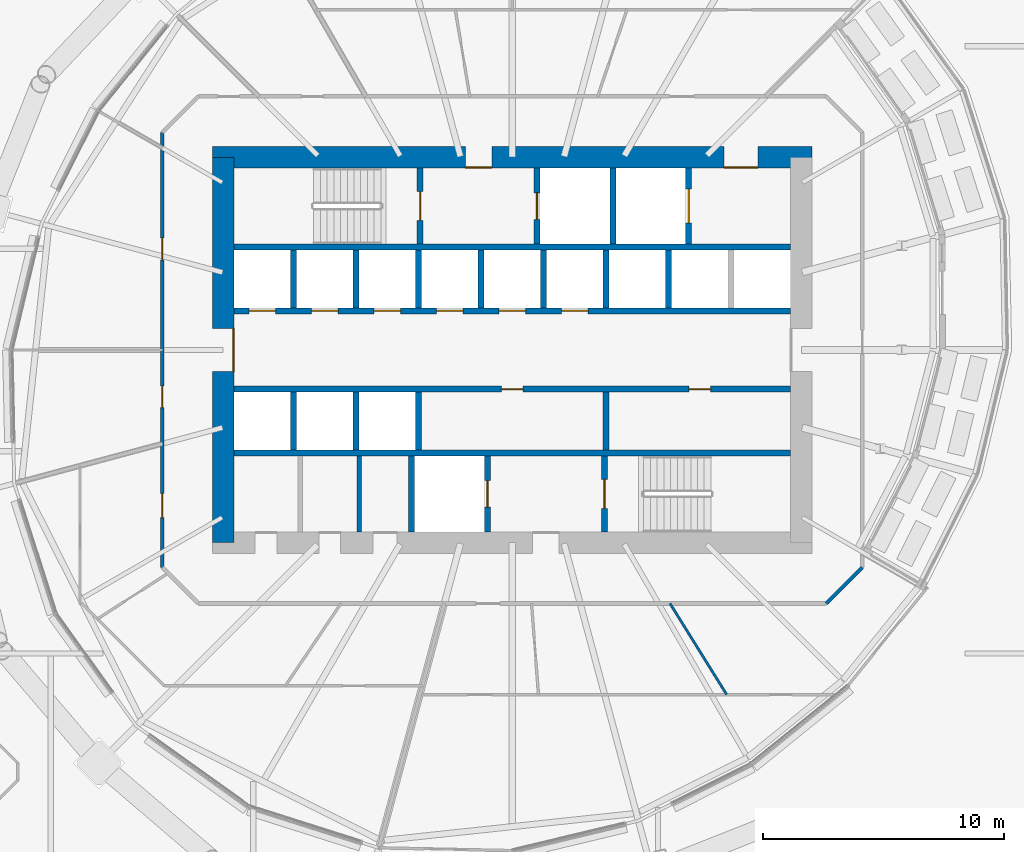
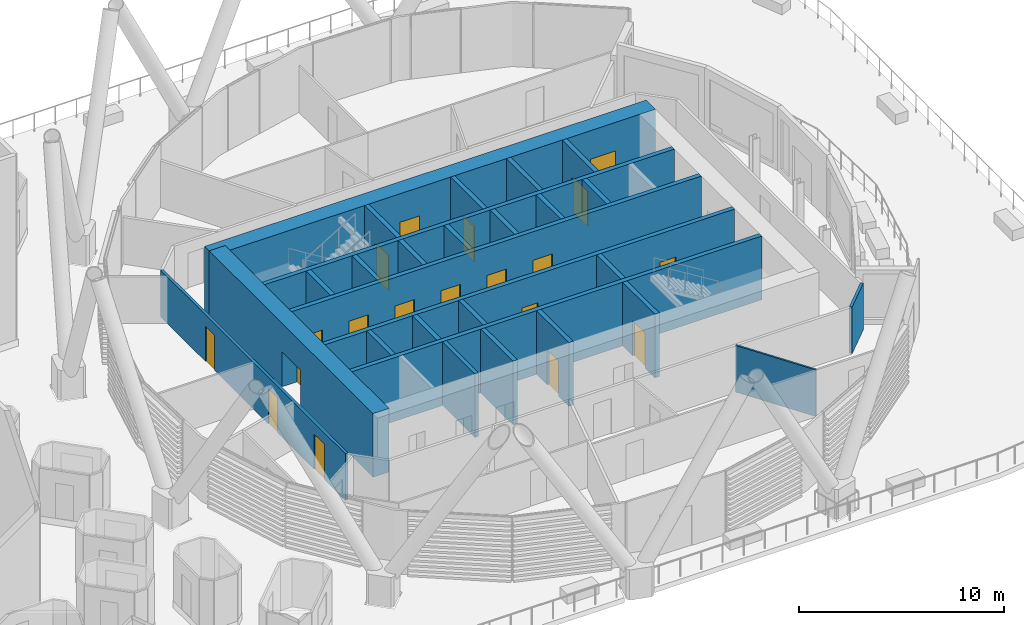
# One storey, part 31 of 47: 28 walls, 19 doors, 19 openings.
"""IFC4 building model written with IfcOpenShell, lengths in metres."""

from ifc_helpers import new_model, si_unit, direction, frame, frame_2d, origin, place, context, subcontext, project, spatial, rectangle, extrude, material, layer, layer_set, type_object, element, fill, save


model = new_model("IFC4")

# Units and contexts
model_context = context("Model", 3, precision=1e-05, world=origin(), true_north=direction((0.0, 1.0)))
body_context = subcontext(model_context, "Body", "Model", "MODEL_VIEW")
ifc_project = project(units=[si_unit("LENGTHUNIT", "METRE"), si_unit("AREAUNIT", "SQUARE_METRE"), si_unit("VOLUMEUNIT", "CUBIC_METRE"), si_unit("PLANEANGLEUNIT", "RADIAN"), si_unit("MASSUNIT", "GRAM", prefix="KILO")], contexts=[model_context])

# Site, building, storey
site_placement = place(None, origin())
site = spatial("IfcSite", under=ifc_project, at=site_placement, CompositionType="ELEMENT")
building_placement = place(site_placement, origin())
building = spatial("IfcBuilding", under=site, at=building_placement, Name="Rimbun Link Towers", CompositionType="ELEMENT")
storey_placement = place(building_placement, frame((0.0, 0.0, 30.0)))
storey = spatial("IfcBuildingStorey", under=building, at=storey_placement, Name="L06", CompositionType="ELEMENT", Elevation=30.0)

# Wall
ifc_material_1 = material(Name="Masonry blockwork", Category="masonry")
ifc_layer_1 = layer(ifc_material_1, 0.199951171875)
ifc_layer_set_1 = layer_set([ifc_layer_1], Name="Core partition 200")
wall_type_1 = type_object("IfcWallType", Name="Core partition 200", PredefinedType="PARTITIONING", material=ifc_layer_set_1)
wall_1_placement = place(storey_placement, frame((25.39990234375, -4.39990234375, 0.0), z_axis=(0.0, 0.0, 1.0), x_axis=(0.0, -1.0, 0.0)))
element("IfcWall", 1, at=wall_1_placement, inside=storey, type_object=wall_type_1, Name="L06 T2 core wall C2", PredefinedType="PARTITIONING", context=body_context, shape_type="SweptSolid", body=[
    extrude(rectangle(XDim=3.150146484375, YDim=0.199951171875, at=frame_2d((1.5751953125, 0.0))), origin(), (0.0, 0.0, 1.0), 3.800048828125),
])

# Wall, openings, doors
ifc_material_2 = material(Name="Concrete C60/75", Category="concrete")
ifc_layer_2 = layer(ifc_material_2, 0.89990234375)
ifc_layer_set_2 = layer_set([ifc_layer_2], Name="Core shear wall 900")
wall_type_2 = type_object("IfcWallType", Name="Core shear wall 900", PredefinedType="SHEAR", material=ifc_layer_set_2)
wall_2_placement = place(storey_placement, frame((19.300048828125, 8.0, 0.0), z_axis=(0.0, 0.0, 1.0), x_axis=(1.0, 0.0, 0.0)))
wall_2 = element("IfcWall", 2, at=wall_2_placement, inside=storey, type_object=wall_type_2, Name="L06 T2 core wall N", PredefinedType="SHEAR", context=body_context, shape_type="SweptSolid", body=[
    extrude(rectangle(XDim=24.89990234375, YDim=0.89990234375, at=frame_2d((12.449951171875, 0.0))), origin(), (0.0, 0.0, 1.0), 3.800048828125),
])
opening_1_placement = place(wall_2_placement, frame((10.5, 0.0, 0.0)))
opening_1 = element("IfcOpeningElement", 3, at=opening_1_placement, cuts=wall_2, Name="Opening C2DCF01N", PredefinedType="OPENING", context=body_context, shape_type="SweptSolid", body=[
    extrude(rectangle(XDim=1.10009765625, YDim=2.10009765625, at=frame_2d((0.550048828125, 1.050048828125))), frame((0.0, 0.4599609375, 0.0), z_axis=(0.0, -1.0, 0.0), x_axis=(1.0, 0.0, 0.0)), (0.0, 0.0, 1.0), 0.919921875),
])
opening_2_placement = place(wall_2_placement, frame((21.25, 0.0, 0.0)))
opening_2 = element("IfcOpeningElement", 4, at=opening_2_placement, cuts=wall_2, Name="Opening C2DSL02N", PredefinedType="OPENING", context=body_context, shape_type="SweptSolid", body=[
    extrude(rectangle(XDim=1.39990234375, YDim=2.10009765625, at=frame_2d((0.699951171875, 1.050048828125))), frame((0.0, 0.4599609375, 0.0), z_axis=(0.0, -1.0, 0.0), x_axis=(1.0, 0.0, 0.0)), (0.0, 0.0, 1.0), 0.919921875),
])
ifc_material_3 = material(Name="Steel fire door set", Category="steel")
door_type_1 = type_object("IfcDoorType", Name="Core fire door single", OperationType="SINGLE_SWING_LEFT", PredefinedType="DOOR", material=ifc_material_3)
door_1_placement = place(opening_1_placement, origin())
door_1 = element("IfcDoor", 5, at=door_1_placement, inside=storey, type_object=door_type_1, Name="L06 T2 firefighting lobby n door", OperationType="SINGLE_SWING_LEFT", OverallHeight=2.10009765625, OverallWidth=1.10009765625, PredefinedType="DOOR", context=body_context, shape_type="SweptSolid", body=[
    extrude(rectangle(XDim=1.10009765625, YDim=2.10009765625, at=frame_2d((0.550048828125, 1.050048828125))), frame((0.0, -0.39990234375, 0.0), z_axis=(0.0, -1.0, 0.0), x_axis=(1.0, 0.0, 0.0)), (0.0, 0.0, 1.0), 0.050048828125),
])
fill(opening_1, door_1)
ifc_material_4 = material(Name="Steel fire door set", Category="steel")
door_type_2 = type_object("IfcDoorType", Name="Service lobby door double", OperationType="DOUBLE_DOOR_SINGLE_SWING", PredefinedType="DOOR", material=ifc_material_4)
door_2_placement = place(opening_2_placement, origin())
door_2 = element("IfcDoor", 6, at=door_2_placement, inside=storey, type_object=door_type_2, Name="L06 T2 service lobby door", OperationType="DOUBLE_DOOR_SINGLE_SWING", OverallHeight=2.10009765625, OverallWidth=1.39990234375, PredefinedType="DOOR", context=body_context, shape_type="SweptSolid", body=[
    extrude(rectangle(XDim=1.39990234375, YDim=2.10009765625, at=frame_2d((0.699951171875, 1.050048828125))), frame((0.0, -0.39990234375, 0.0), z_axis=(0.0, -1.0, 0.0), x_axis=(1.0, 0.0, 0.0)), (0.0, 0.0, 1.0), 0.050048828125),
])
fill(opening_2, door_2)

# Wall, opening, door
wall_3_placement = place(storey_placement, frame((19.75, -8.0, 0.0), z_axis=(0.0, 0.0, 1.0), x_axis=(0.0, 1.0, 0.0)))
wall_3 = element("IfcWall", 7, at=wall_3_placement, inside=storey, type_object=wall_type_2, Name="L06 T2 core wall W", PredefinedType="SHEAR", context=body_context, shape_type="SweptSolid", body=[
    extrude(rectangle(XDim=16.0, YDim=0.89990234375, at=frame_2d((8.0, 0.0))), origin(), (0.0, 0.0, 1.0), 3.800048828125),
])
opening_3_placement = place(wall_3_placement, frame((7.10009765625, 0.0, 0.0)))
opening_3 = element("IfcOpeningElement", 8, at=opening_3_placement, cuts=wall_3, Name="Opening C2DCL01W", PredefinedType="OPENING", context=body_context, shape_type="SweptSolid", body=[
    extrude(rectangle(XDim=1.800048828125, YDim=2.10009765625, at=frame_2d((0.89990234375, 1.050048828125))), frame((0.0, 0.4599609375, 0.0), z_axis=(0.0, -1.0, 0.0), x_axis=(1.0, 0.0, 0.0)), (0.0, 0.0, 1.0), 0.919921875),
])
ifc_material_5 = material(Name="Steel fire door set", Category="steel")
door_type_3 = type_object("IfcDoorType", Name="Core lobby door double", OperationType="DOUBLE_DOOR_SINGLE_SWING", PredefinedType="DOOR", material=ifc_material_5)
door_3_placement = place(opening_3_placement, origin())
door_3 = element("IfcDoor", 9, at=door_3_placement, inside=storey, type_object=door_type_3, Name="L06 T2 lift lobby door", OperationType="DOUBLE_DOOR_SINGLE_SWING", OverallHeight=2.10009765625, OverallWidth=1.800048828125, PredefinedType="DOOR", context=body_context, shape_type="SweptSolid", body=[
    extrude(rectangle(XDim=1.800048828125, YDim=2.10009765625, at=frame_2d((0.89990234375, 1.050048828125))), frame((0.0, -0.39990234375, 0.0), z_axis=(0.0, -1.0, 0.0), x_axis=(1.0, 0.0, 0.0)), (0.0, 0.0, 1.0), 0.050048828125),
])
fill(opening_3, door_3)

# Wall
ifc_material_6 = material(Name="Plasterboard on steel stud, mineral wool", Category="steel")
ifc_layer_3 = layer(ifc_material_6, 0.14990234375)
ifc_layer_set_3 = layer_set([ifc_layer_3], Name="Corridor wall EI 30 150 mm")
wall_type_3 = type_object("IfcWallType", Name="Corridor wall EI 30 150 mm", PredefinedType="PARTITIONING", material=ifc_layer_set_3)
wall_4_placement = place(storey_placement, frame((44.776611328125, -10.52490234375, 0.0), z_axis=(0.0, 0.0, 1.0), x_axis=(0.707106781187, 0.707106781187, 0.0)))
element("IfcWall", 10, at=wall_4_placement, inside=storey, type_object=wall_type_3, Name="Corridor wall EI 30 150 mm", PredefinedType="PARTITIONING", context=body_context, shape_type="SweptSolid", body=[
    extrude(rectangle(XDim=2.118896484375, YDim=0.14990234375, at=frame_2d((1.0595703125, 0.0))), origin(), (0.0, 0.0, 1.0), 2.779052734375),
])

# Wall, openings, doors
wall_5_placement = place(storey_placement, frame((17.22509765625, -9.026611328125, 0.0), z_axis=(0.0, 0.0, 1.0), x_axis=(0.0, 1.0, 0.0)))
wall_5 = element("IfcWall", 11, at=wall_5_placement, inside=storey, type_object=wall_type_3, Name="Corridor wall EI 30 150 mm", PredefinedType="PARTITIONING", context=body_context, shape_type="SweptSolid", body=[
    extrude(rectangle(XDim=18.05322265625, YDim=0.14990234375, at=frame_2d((9.026611328125, 0.0))), origin(), (0.0, 0.0, 1.0), 2.779052734375),
])
opening_4_placement = place(wall_5_placement, frame((12.769775390625, 0.0, 0.0)))
opening_4 = element("IfcOpeningElement", 12, at=opening_4_placement, cuts=wall_5, Name="Opening D02", PredefinedType="OPENING", context=body_context, shape_type="SweptSolid", body=[
    extrude(rectangle(XDim=0.89990234375, YDim=2.10009765625, at=frame_2d((0.449951171875, 1.050048828125))), frame((0.0, 0.0849609375, 0.0), z_axis=(0.0, -1.0, 0.0), x_axis=(1.0, 0.0, 0.0)), (0.0, 0.0, 1.0), 0.169921875),
])
opening_5_placement = place(wall_5_placement, frame((6.630615234375, 0.0, 0.0)))
opening_5 = element("IfcOpeningElement", 13, at=opening_5_placement, cuts=wall_5, Name="Opening D02", PredefinedType="OPENING", context=body_context, shape_type="SweptSolid", body=[
    extrude(rectangle(XDim=0.89990234375, YDim=2.10009765625, at=frame_2d((0.449951171875, 1.050048828125))), frame((0.0, 0.0849609375, 0.0), z_axis=(0.0, -1.0, 0.0), x_axis=(1.0, 0.0, 0.0)), (0.0, 0.0, 1.0), 0.169921875),
])
opening_6_placement = place(wall_5_placement, frame((2.0673828125, 0.0, 0.0)))
opening_6 = element("IfcOpeningElement", 14, at=opening_6_placement, cuts=wall_5, Name="Opening D01", PredefinedType="OPENING", context=body_context, shape_type="SweptSolid", body=[
    extrude(rectangle(XDim=1.0, YDim=2.10009765625, at=frame_2d((0.5, 1.050048828125))), frame((0.0, 0.0849609375, 0.0), z_axis=(0.0, -1.0, 0.0), x_axis=(1.0, 0.0, 0.0)), (0.0, 0.0, 1.0), 0.169921875),
])
ifc_material_7 = material(Name="Fire-resisting timber door leaf", Category="wood")
door_type_4 = type_object("IfcDoorType", Name="Fire door FD30S 1000", OperationType="NOTDEFINED", PredefinedType="DOOR", material=ifc_material_7)
door_4_placement = place(opening_6_placement, origin())
door_4 = element("IfcDoor", 15, at=door_4_placement, inside=storey, type_object=door_type_4, Name="Fire door FD30S 1000 to Reception", OperationType="SINGLE_SWING_RIGHT", OverallHeight=2.10009765625, OverallWidth=1.0, PredefinedType="DOOR", context=body_context, shape_type="SweptSolid", body=[
    extrude(rectangle(XDim=1.0, YDim=2.10009765625, at=frame_2d((0.5, 1.050048828125))), frame((0.0, 0.02490234375, 0.0), z_axis=(0.0, -1.0, 0.0), x_axis=(1.0, 0.0, 0.0)), (0.0, 0.0, 1.0), 0.050048828125),
])
fill(opening_6, door_4)
ifc_material_8 = material(Name="Fire-resisting timber door leaf", Category="wood")
door_type_5 = type_object("IfcDoorType", Name="Fire door FD30S 900", OperationType="NOTDEFINED", PredefinedType="DOOR", material=ifc_material_8)
door_5_placement = place(opening_4_placement, origin())
door_5 = element("IfcDoor", 16, at=door_5_placement, inside=storey, type_object=door_type_5, Name="Fire door FD30S 900 to Cellular office", OperationType="SINGLE_SWING_RIGHT", OverallHeight=2.10009765625, OverallWidth=0.89990234375, PredefinedType="DOOR", context=body_context, shape_type="SweptSolid", body=[
    extrude(rectangle(XDim=0.89990234375, YDim=2.10009765625, at=frame_2d((0.449951171875, 1.050048828125))), frame((0.0, 0.02490234375, 0.0), z_axis=(0.0, -1.0, 0.0), x_axis=(1.0, 0.0, 0.0)), (0.0, 0.0, 1.0), 0.050048828125),
])
fill(opening_4, door_5)
door_6_placement = place(opening_5_placement, origin())
door_6 = element("IfcDoor", 17, at=door_6_placement, inside=storey, type_object=door_type_5, Name="Fire door FD30S 900 to Meeting room", OperationType="SINGLE_SWING_LEFT", OverallHeight=2.10009765625, OverallWidth=0.89990234375, PredefinedType="DOOR", context=body_context, shape_type="SweptSolid", body=[
    extrude(rectangle(XDim=0.89990234375, YDim=2.10009765625, at=frame_2d((0.449951171875, 1.050048828125))), frame((0.0, 0.02490234375, 0.0), z_axis=(0.0, -1.0, 0.0), x_axis=(1.0, 0.0, 0.0)), (0.0, 0.0, 1.0), 0.050048828125),
])
fill(opening_5, door_6)

# Walls
ifc_material_9 = material(Name="Plasterboard on steel stud", Category="steel")
ifc_layer_4 = layer(ifc_material_9, 0.10009765625)
ifc_layer_set_4 = layer_set([ifc_layer_4], Name="Plasterboard partition 100 mm")
wall_type_4 = type_object("IfcWallType", Name="Plasterboard partition 100 mm", PredefinedType="PARTITIONING", material=ifc_layer_set_4)
wall_6_placement = place(storey_placement, frame((40.650634765625, -14.304931640625, 0.0), z_axis=(0.0, 0.0, 1.0), x_axis=(-0.528307157768, 0.849053324032, 0.0)))
element("IfcWall", 18, at=wall_6_placement, inside=storey, type_object=wall_type_4, Name="Plasterboard partition 100 mm", PredefinedType="PARTITIONING", context=body_context, shape_type="SweptSolid", body=[
    extrude(rectangle(XDim=4.4521484375, YDim=0.10009765625, at=frame_2d((2.22607421875, 0.0))), origin(), (0.0, 0.0, 1.0), 2.779052734375),
])
ifc_material_10 = material(Name="Concrete C60/75", Category="concrete")
ifc_layer_5 = layer(ifc_material_10, 0.25)
ifc_layer_set_5 = layer_set([ifc_layer_5], Name="Shaft wall 250")
wall_type_5 = type_object("IfcWallType", Name="Shaft wall 250", PredefinedType="SHEAR", material=ifc_layer_set_5)
for number, where, z_axis, x_axis, name in (
    (19, (20.199951171875, 4.27490234375, 0.0), (0.0, 0.0, 1.0), (1.0, 0.0, 0.0), "L06 T2 core wall BN"),
    (20, (20.199951171875, -4.27490234375, 0.0), (0.0, 0.0, 1.0), (1.0, 0.0, 0.0), "L06 T2 core wall BS"),
):
    element("IfcWall", number, at=place(storey_placement, frame(where, z_axis=z_axis, x_axis=x_axis)), inside=storey, type_object=wall_type_5, Name=name, PredefinedType="SHEAR", context=body_context, shape_type="SweptSolid", body=[
        extrude(rectangle(XDim=23.10009765625, YDim=0.25, at=frame_2d((11.550048828125, 0.0))), origin(), (0.0, 0.0, 1.0), 3.800048828125),
    ])

# Wall, openings, doors
wall_7_placement = place(storey_placement, frame((20.199951171875, 1.625, 0.0), z_axis=(0.0, 0.0, 1.0), x_axis=(1.0, 0.0, 0.0)))
wall_7 = element("IfcWall", 21, at=wall_7_placement, inside=storey, type_object=wall_type_5, Name="L06 T2 core wall FN", PredefinedType="SHEAR", context=body_context, shape_type="SweptSolid", body=[
    extrude(rectangle(XDim=23.10009765625, YDim=0.25, at=frame_2d((11.550048828125, 0.0))), origin(), (0.0, 0.0, 1.0), 3.800048828125),
])
opening_7_placement = place(wall_7_placement, frame((0.622314453125, 0.0, 0.0)))
opening_7 = element("IfcOpeningElement", 22, at=opening_7_placement, cuts=wall_7, Name="Opening LD-T2-LR1", PredefinedType="OPENING", context=body_context, shape_type="SweptSolid", body=[
    extrude(rectangle(XDim=1.10009765625, YDim=2.10009765625, at=frame_2d((0.550048828125, 1.050048828125))), frame((0.0, 0.135009765625, 0.0), z_axis=(0.0, -1.0, 0.0), x_axis=(1.0, 0.0, 0.0)), (0.0, 0.0, 1.0), 0.27001953125),
])
opening_8_placement = place(wall_7_placement, frame((3.216796875, 0.0, 0.0)))
opening_8 = element("IfcOpeningElement", 23, at=opening_8_placement, cuts=wall_7, Name="Opening LD-T2-LR2", PredefinedType="OPENING", context=body_context, shape_type="SweptSolid", body=[
    extrude(rectangle(XDim=1.10009765625, YDim=2.10009765625, at=frame_2d((0.550048828125, 1.050048828125))), frame((0.0, 0.135009765625, 0.0), z_axis=(0.0, -1.0, 0.0), x_axis=(1.0, 0.0, 0.0)), (0.0, 0.0, 1.0), 0.27001953125),
])
opening_9_placement = place(wall_7_placement, frame((5.81103515625, 0.0, 0.0)))
opening_9 = element("IfcOpeningElement", 24, at=opening_9_placement, cuts=wall_7, Name="Opening LD-T2-LR3", PredefinedType="OPENING", context=body_context, shape_type="SweptSolid", body=[
    extrude(rectangle(XDim=1.10009765625, YDim=2.10009765625, at=frame_2d((0.550048828125, 1.050048828125))), frame((0.0, 0.135009765625, 0.0), z_axis=(0.0, -1.0, 0.0), x_axis=(1.0, 0.0, 0.0)), (0.0, 0.0, 1.0), 0.27001953125),
])
opening_10_placement = place(wall_7_placement, frame((8.405517578125, 0.0, 0.0)))
opening_10 = element("IfcOpeningElement", 25, at=opening_10_placement, cuts=wall_7, Name="Opening LD-T2-LR4", PredefinedType="OPENING", context=body_context, shape_type="SweptSolid", body=[
    extrude(rectangle(XDim=1.10009765625, YDim=2.10009765625, at=frame_2d((0.550048828125, 1.050048828125))), frame((0.0, 0.135009765625, 0.0), z_axis=(0.0, -1.0, 0.0), x_axis=(1.0, 0.0, 0.0)), (0.0, 0.0, 1.0), 0.27001953125),
])
opening_11_placement = place(wall_7_placement, frame((11.0, 0.0, 0.0)))
opening_11 = element("IfcOpeningElement", 26, at=opening_11_placement, cuts=wall_7, Name="Opening LD-T2-LR5", PredefinedType="OPENING", context=body_context, shape_type="SweptSolid", body=[
    extrude(rectangle(XDim=1.10009765625, YDim=2.10009765625, at=frame_2d((0.550048828125, 1.050048828125))), frame((0.0, 0.135009765625, 0.0), z_axis=(0.0, -1.0, 0.0), x_axis=(1.0, 0.0, 0.0)), (0.0, 0.0, 1.0), 0.27001953125),
])
opening_12_placement = place(wall_7_placement, frame((13.594482421875, 0.0, 0.0)))
opening_12 = element("IfcOpeningElement", 27, at=opening_12_placement, cuts=wall_7, Name="Opening LD-T2-LR6", PredefinedType="OPENING", context=body_context, shape_type="SweptSolid", body=[
    extrude(rectangle(XDim=1.10009765625, YDim=2.10009765625, at=frame_2d((0.550048828125, 1.050048828125))), frame((0.0, 0.135009765625, 0.0), z_axis=(0.0, -1.0, 0.0), x_axis=(1.0, 0.0, 0.0)), (0.0, 0.0, 1.0), 0.27001953125),
])
ifc_material_11 = material(Name="Stainless steel grade 316", Category="steel")
door_type_6 = type_object("IfcDoorType", Name="Lift landing door", OperationType="DOUBLE_DOOR_SLIDING", PredefinedType="DOOR", material=ifc_material_11)
door_7_placement = place(opening_7_placement, origin())
door_7 = element("IfcDoor", 28, at=door_7_placement, inside=storey, type_object=door_type_6, Name="L06 T2 lift LR1 landing door", OperationType="DOUBLE_DOOR_SLIDING", OverallHeight=2.10009765625, OverallWidth=1.10009765625, PredefinedType="DOOR", context=body_context, shape_type="SweptSolid", body=[
    extrude(rectangle(XDim=1.10009765625, YDim=2.10009765625, at=frame_2d((0.550048828125, 1.050048828125))), frame((0.0, 0.02490234375, 0.0), z_axis=(0.0, -1.0, 0.0), x_axis=(1.0, 0.0, 0.0)), (0.0, 0.0, 1.0), 0.050048828125),
])
fill(opening_7, door_7)
door_8_placement = place(opening_8_placement, origin())
door_8 = element("IfcDoor", 29, at=door_8_placement, inside=storey, type_object=door_type_6, Name="L06 T2 lift LR2 landing door", OperationType="DOUBLE_DOOR_SLIDING", OverallHeight=2.10009765625, OverallWidth=1.10009765625, PredefinedType="DOOR", context=body_context, shape_type="SweptSolid", body=[
    extrude(rectangle(XDim=1.10009765625, YDim=2.10009765625, at=frame_2d((0.550048828125, 1.050048828125))), frame((0.0, 0.02490234375, 0.0), z_axis=(0.0, -1.0, 0.0), x_axis=(1.0, 0.0, 0.0)), (0.0, 0.0, 1.0), 0.050048828125),
])
fill(opening_8, door_8)
door_9_placement = place(opening_9_placement, origin())
door_9 = element("IfcDoor", 30, at=door_9_placement, inside=storey, type_object=door_type_6, Name="L06 T2 lift LR3 landing door", OperationType="DOUBLE_DOOR_SLIDING", OverallHeight=2.10009765625, OverallWidth=1.10009765625, PredefinedType="DOOR", context=body_context, shape_type="SweptSolid", body=[
    extrude(rectangle(XDim=1.10009765625, YDim=2.10009765625, at=frame_2d((0.550048828125, 1.050048828125))), frame((0.0, 0.02490234375, 0.0), z_axis=(0.0, -1.0, 0.0), x_axis=(1.0, 0.0, 0.0)), (0.0, 0.0, 1.0), 0.050048828125),
])
fill(opening_9, door_9)
door_10_placement = place(opening_10_placement, origin())
door_10 = element("IfcDoor", 31, at=door_10_placement, inside=storey, type_object=door_type_6, Name="L06 T2 lift LR4 landing door", OperationType="DOUBLE_DOOR_SLIDING", OverallHeight=2.10009765625, OverallWidth=1.10009765625, PredefinedType="DOOR", context=body_context, shape_type="SweptSolid", body=[
    extrude(rectangle(XDim=1.10009765625, YDim=2.10009765625, at=frame_2d((0.550048828125, 1.050048828125))), frame((0.0, 0.02490234375, 0.0), z_axis=(0.0, -1.0, 0.0), x_axis=(1.0, 0.0, 0.0)), (0.0, 0.0, 1.0), 0.050048828125),
])
fill(opening_10, door_10)
door_11_placement = place(opening_11_placement, origin())
door_11 = element("IfcDoor", 32, at=door_11_placement, inside=storey, type_object=door_type_6, Name="L06 T2 lift LR5 landing door", OperationType="DOUBLE_DOOR_SLIDING", OverallHeight=2.10009765625, OverallWidth=1.10009765625, PredefinedType="DOOR", context=body_context, shape_type="SweptSolid", body=[
    extrude(rectangle(XDim=1.10009765625, YDim=2.10009765625, at=frame_2d((0.550048828125, 1.050048828125))), frame((0.0, 0.02490234375, 0.0), z_axis=(0.0, -1.0, 0.0), x_axis=(1.0, 0.0, 0.0)), (0.0, 0.0, 1.0), 0.050048828125),
])
fill(opening_11, door_11)
door_12_placement = place(opening_12_placement, origin())
door_12 = element("IfcDoor", 33, at=door_12_placement, inside=storey, type_object=door_type_6, Name="L06 T2 lift LR6 landing door", OperationType="DOUBLE_DOOR_SLIDING", OverallHeight=2.10009765625, OverallWidth=1.10009765625, PredefinedType="DOOR", context=body_context, shape_type="SweptSolid", body=[
    extrude(rectangle(XDim=1.10009765625, YDim=2.10009765625, at=frame_2d((0.550048828125, 1.050048828125))), frame((0.0, 0.02490234375, 0.0), z_axis=(0.0, -1.0, 0.0), x_axis=(1.0, 0.0, 0.0)), (0.0, 0.0, 1.0), 0.050048828125),
])
fill(opening_12, door_12)

wall_8_placement = place(storey_placement, frame((20.199951171875, -1.625, 0.0), z_axis=(0.0, 0.0, 1.0), x_axis=(1.0, 0.0, 0.0)))
wall_8 = element("IfcWall", 34, at=wall_8_placement, inside=storey, type_object=wall_type_5, Name="L06 T2 core wall FS", PredefinedType="SHEAR", context=body_context, shape_type="SweptSolid", body=[
    extrude(rectangle(XDim=23.10009765625, YDim=0.25, at=frame_2d((11.550048828125, 0.0))), origin(), (0.0, 0.0, 1.0), 3.800048828125),
])
opening_13_placement = place(wall_8_placement, frame((11.10009765625, 0.0, 0.0)))
opening_13 = element("IfcOpeningElement", 35, at=opening_13_placement, cuts=wall_8, Name="Opening C2DRS01FS", PredefinedType="OPENING", context=body_context, shape_type="SweptSolid", body=[
    extrude(rectangle(XDim=0.89990234375, YDim=2.10009765625, at=frame_2d((0.449951171875, 1.050048828125))), frame((0.0, 0.135009765625, 0.0), z_axis=(0.0, -1.0, 0.0), x_axis=(1.0, 0.0, 0.0)), (0.0, 0.0, 1.0), 0.27001953125),
])
opening_14_placement = place(wall_8_placement, frame((18.88330078125, 0.0, 0.0)))
opening_14 = element("IfcOpeningElement", 36, at=opening_14_placement, cuts=wall_8, Name="Opening C2DRS02FS", PredefinedType="OPENING", context=body_context, shape_type="SweptSolid", body=[
    extrude(rectangle(XDim=0.89990234375, YDim=2.10009765625, at=frame_2d((0.449951171875, 1.050048828125))), frame((0.0, 0.135009765625, 0.0), z_axis=(0.0, -1.0, 0.0), x_axis=(1.0, 0.0, 0.0)), (0.0, 0.0, 1.0), 0.27001953125),
])
ifc_material_12 = material(Name="Steel fire door set", Category="steel")
door_type_7 = type_object("IfcDoorType", Name="Core riser door", OperationType="SINGLE_SWING_LEFT", PredefinedType="DOOR", material=ifc_material_12)
door_13_placement = place(opening_13_placement, origin())
door_13 = element("IfcDoor", 37, at=door_13_placement, inside=storey, type_object=door_type_7, Name="L06 T2 plant room door", OperationType="SINGLE_SWING_RIGHT", OverallHeight=2.10009765625, OverallWidth=0.89990234375, PredefinedType="DOOR", context=body_context, shape_type="SweptSolid", body=[
    extrude(rectangle(XDim=0.89990234375, YDim=2.10009765625, at=frame_2d((0.449951171875, 1.050048828125))), frame((0.0, 0.02490234375, 0.0), z_axis=(0.0, -1.0, 0.0), x_axis=(1.0, 0.0, 0.0)), (0.0, 0.0, 1.0), 0.050048828125),
])
fill(opening_13, door_13)
door_14_placement = place(opening_14_placement, origin())
door_14 = element("IfcDoor", 38, at=door_14_placement, inside=storey, type_object=door_type_7, Name="L06 T2 wellness room door", OperationType="SINGLE_SWING_LEFT", OverallHeight=2.10009765625, OverallWidth=0.89990234375, PredefinedType="DOOR", context=body_context, shape_type="SweptSolid", body=[
    extrude(rectangle(XDim=0.89990234375, YDim=2.10009765625, at=frame_2d((0.449951171875, 1.050048828125))), frame((0.0, 0.02490234375, 0.0), z_axis=(0.0, -1.0, 0.0), x_axis=(1.0, 0.0, 0.0)), (0.0, 0.0, 1.0), 0.050048828125),
])
fill(opening_14, door_14)

# Walls
for number, where, z_axis, x_axis, name in (
    (39, (22.66943359375, 1.75, 0.0), (0.0, 0.0, 1.0), (0.0, 1.0, 0.0), "L06 T2 core wall DN0"),
    (40, (25.263916015625, 1.75, 0.0), (0.0, 0.0, 1.0), (0.0, 1.0, 0.0), "L06 T2 core wall DN1"),
    (41, (27.8583984375, 1.75, 0.0), (0.0, 0.0, 1.0), (0.0, 1.0, 0.0), "L06 T2 core wall DN2"),
    (42, (30.452880859375, 1.75, 0.0), (0.0, 0.0, 1.0), (0.0, 1.0, 0.0), "L06 T2 core wall DN3"),
    (43, (33.047119140625, 1.75, 0.0), (0.0, 0.0, 1.0), (0.0, 1.0, 0.0), "L06 T2 core wall DN4"),
    (44, (35.6416015625, 1.75, 0.0), (0.0, 0.0, 1.0), (0.0, 1.0, 0.0), "L06 T2 core wall DN5"),
    (45, (38.236083984375, 1.75, 0.0), (0.0, 0.0, 1.0), (0.0, 1.0, 0.0), "L06 T2 core wall DN6"),
    (46, (22.66943359375, -4.14990234375, 0.0), (0.0, 0.0, 1.0), (0.0, 1.0, 0.0), "L06 T2 core wall DS0"),
    (47, (25.263916015625, -4.14990234375, 0.0), (0.0, 0.0, 1.0), (0.0, 1.0, 0.0), "L06 T2 core wall DS1"),
    (48, (27.8583984375, -4.14990234375, 0.0), (0.0, 0.0, 1.0), (0.0, 1.0, 0.0), "L06 T2 core wall DS2"),
    (49, (35.6416015625, -4.14990234375, 0.0), (0.0, 0.0, 1.0), (0.0, 1.0, 0.0), "L06 T2 core wall DS5"),
):
    element("IfcWall", number, at=place(storey_placement, frame(where, z_axis=z_axis, x_axis=x_axis)), inside=storey, type_object=wall_type_5, Name=name, PredefinedType="SHEAR", context=body_context, shape_type="SweptSolid", body=[
        extrude(rectangle(XDim=2.39990234375, YDim=0.25, at=frame_2d((1.199951171875, 0.0))), origin(), (0.0, 0.0, 1.0), 3.800048828125),
    ])

# Wall, opening, door
wall_9_placement = place(storey_placement, frame((27.925048828125, 4.39990234375, 0.0), z_axis=(0.0, 0.0, 1.0), x_axis=(0.0, 1.0, 0.0)))
wall_9 = element("IfcWall", 50, at=wall_9_placement, inside=storey, type_object=wall_type_5, Name="L06 T2 core wall A1", PredefinedType="SHEAR", context=body_context, shape_type="SweptSolid", body=[
    extrude(rectangle(XDim=3.150146484375, YDim=0.25, at=frame_2d((1.5751953125, 0.0))), origin(), (0.0, 0.0, 1.0), 3.800048828125),
])
opening_15_placement = place(wall_9_placement, frame((0.97509765625, 0.0, 0.0)))
opening_15 = element("IfcOpeningElement", 51, at=opening_15_placement, cuts=wall_9, Name="Opening C2DST01A1", PredefinedType="OPENING", context=body_context, shape_type="SweptSolid", body=[
    extrude(rectangle(XDim=1.199951171875, YDim=2.10009765625, at=frame_2d((0.60009765625, 1.050048828125))), frame((0.0, 0.135009765625, 0.0), z_axis=(0.0, -1.0, 0.0), x_axis=(1.0, 0.0, 0.0)), (0.0, 0.0, 1.0), 0.27001953125),
])
ifc_material_13 = material(Name="Steel fire door set", Category="steel")
door_type_8 = type_object("IfcDoorType", Name="Stair door", OperationType="SINGLE_SWING_LEFT", PredefinedType="DOOR", material=ifc_material_13)
door_15_placement = place(opening_15_placement, origin())
door_15 = element("IfcDoor", 52, at=door_15_placement, inside=storey, type_object=door_type_8, Name="L06 T2 stair a door", OperationType="SINGLE_SWING_RIGHT", OverallHeight=2.10009765625, OverallWidth=1.199951171875, PredefinedType="DOOR", context=body_context, shape_type="SweptSolid", body=[
    extrude(rectangle(XDim=1.199951171875, YDim=2.10009765625, at=frame_2d((0.60009765625, 1.050048828125))), frame((0.0, 0.02490234375, 0.0), z_axis=(0.0, -1.0, 0.0), x_axis=(1.0, 0.0, 0.0)), (0.0, 0.0, 1.0), 0.050048828125),
])
fill(opening_15, door_15)

wall_10_placement = place(storey_placement, frame((32.77490234375, 4.39990234375, 0.0), z_axis=(0.0, 0.0, 1.0), x_axis=(0.0, 1.0, 0.0)))
wall_10 = element("IfcWall", 53, at=wall_10_placement, inside=storey, type_object=wall_type_5, Name="L06 T2 core wall A2", PredefinedType="SHEAR", context=body_context, shape_type="SweptSolid", body=[
    extrude(rectangle(XDim=3.150146484375, YDim=0.25, at=frame_2d((1.5751953125, 0.0))), origin(), (0.0, 0.0, 1.0), 3.800048828125),
])
opening_16_placement = place(wall_10_placement, frame((1.02490234375, 0.0, 0.0)))
opening_16 = element("IfcOpeningElement", 54, at=opening_16_placement, cuts=wall_10, Name="Opening LD-T2-FF1", PredefinedType="OPENING", context=body_context, shape_type="SweptSolid", body=[
    extrude(rectangle(XDim=1.10009765625, YDim=2.10009765625, at=frame_2d((0.550048828125, 1.050048828125))), frame((0.0, 0.135009765625, 0.0), z_axis=(0.0, -1.0, 0.0), x_axis=(1.0, 0.0, 0.0)), (0.0, 0.0, 1.0), 0.27001953125),
])
door_16_placement = place(opening_16_placement, origin())
door_16 = element("IfcDoor", 55, at=door_16_placement, inside=storey, type_object=door_type_6, Name="L06 T2 lift FF1 landing door", OperationType="DOUBLE_DOOR_SLIDING", OverallHeight=2.10009765625, OverallWidth=1.10009765625, PredefinedType="DOOR", context=body_context, shape_type="SweptSolid", body=[
    extrude(rectangle(XDim=1.10009765625, YDim=2.10009765625, at=frame_2d((0.550048828125, 1.050048828125))), frame((0.0, 0.02490234375, 0.0), z_axis=(0.0, -1.0, 0.0), x_axis=(1.0, 0.0, 0.0)), (0.0, 0.0, 1.0), 0.050048828125),
])
fill(opening_16, door_16)

# Wall
wall_11_placement = place(storey_placement, frame((35.925048828125, 4.39990234375, 0.0), z_axis=(0.0, 0.0, 1.0), x_axis=(0.0, 1.0, 0.0)))
element("IfcWall", 56, at=wall_11_placement, inside=storey, type_object=wall_type_5, Name="L06 T2 core wall A3", PredefinedType="SHEAR", context=body_context, shape_type="SweptSolid", body=[
    extrude(rectangle(XDim=3.150146484375, YDim=0.25, at=frame_2d((1.5751953125, 0.0))), origin(), (0.0, 0.0, 1.0), 3.800048828125),
])

# Wall, opening, door
wall_12_placement = place(storey_placement, frame((39.074951171875, 4.39990234375, 0.0), z_axis=(0.0, 0.0, 1.0), x_axis=(0.0, 1.0, 0.0)))
wall_12 = element("IfcWall", 57, at=wall_12_placement, inside=storey, type_object=wall_type_5, Name="L06 T2 core wall A4", PredefinedType="SHEAR", context=body_context, shape_type="SweptSolid", body=[
    extrude(rectangle(XDim=3.150146484375, YDim=0.25, at=frame_2d((1.5751953125, 0.0))), origin(), (0.0, 0.0, 1.0), 3.800048828125),
])
opening_17_placement = place(wall_12_placement, frame((0.875, 0.0, 0.0)))
opening_17 = element("IfcOpeningElement", 58, at=opening_17_placement, cuts=wall_12, Name="Opening LD-T2-GL1", PredefinedType="OPENING", context=body_context, shape_type="SweptSolid", body=[
    extrude(rectangle(XDim=1.39990234375, YDim=2.10009765625, at=frame_2d((0.699951171875, 1.050048828125))), frame((0.0, 0.135009765625, 0.0), z_axis=(0.0, -1.0, 0.0), x_axis=(1.0, 0.0, 0.0)), (0.0, 0.0, 1.0), 0.27001953125),
])
ifc_material_14 = material(Name="Stainless steel grade 316", Category="steel")
door_type_9 = type_object("IfcDoorType", Name="Goods lift landing door", OperationType="DOUBLE_DOOR_SLIDING", PredefinedType="DOOR", material=ifc_material_14)
door_17_placement = place(opening_17_placement, origin())
door_17 = element("IfcDoor", 59, at=door_17_placement, inside=storey, type_object=door_type_9, Name="L06 T2 lift GL1 landing door", OperationType="DOUBLE_DOOR_SLIDING", OverallHeight=2.10009765625, OverallWidth=1.39990234375, PredefinedType="DOOR", context=body_context, shape_type="SweptSolid", body=[
    extrude(rectangle(XDim=1.39990234375, YDim=2.10009765625, at=frame_2d((0.699951171875, 1.050048828125))), frame((0.0, 0.02490234375, 0.0), z_axis=(0.0, -1.0, 0.0), x_axis=(1.0, 0.0, 0.0)), (0.0, 0.0, 1.0), 0.050048828125),
])
fill(opening_17, door_17)

wall_13_placement = place(storey_placement, frame((35.574951171875, -4.39990234375, 0.0), z_axis=(0.0, 0.0, 1.0), x_axis=(0.0, -1.0, 0.0)))
wall_13 = element("IfcWall", 60, at=wall_13_placement, inside=storey, type_object=wall_type_5, Name="L06 T2 core wall B1", PredefinedType="SHEAR", context=body_context, shape_type="SweptSolid", body=[
    extrude(rectangle(XDim=3.150146484375, YDim=0.25, at=frame_2d((1.5751953125, 0.0))), origin(), (0.0, 0.0, 1.0), 3.800048828125),
])
opening_18_placement = place(wall_13_placement, frame((0.97509765625, 0.0, 0.0)))
opening_18 = element("IfcOpeningElement", 61, at=opening_18_placement, cuts=wall_13, Name="Opening C2DST01B1", PredefinedType="OPENING", context=body_context, shape_type="SweptSolid", body=[
    extrude(rectangle(XDim=1.199951171875, YDim=2.10009765625, at=frame_2d((0.60009765625, 1.050048828125))), frame((0.0, 0.135009765625, 0.0), z_axis=(0.0, -1.0, 0.0), x_axis=(1.0, 0.0, 0.0)), (0.0, 0.0, 1.0), 0.27001953125),
])
door_18_placement = place(opening_18_placement, origin())
door_18 = element("IfcDoor", 62, at=door_18_placement, inside=storey, type_object=door_type_8, Name="L06 T2 stair b door", OperationType="SINGLE_SWING_LEFT", OverallHeight=2.10009765625, OverallWidth=1.199951171875, PredefinedType="DOOR", context=body_context, shape_type="SweptSolid", body=[
    extrude(rectangle(XDim=1.199951171875, YDim=2.10009765625, at=frame_2d((0.60009765625, 1.050048828125))), frame((0.0, 0.02490234375, 0.0), z_axis=(0.0, -1.0, 0.0), x_axis=(1.0, 0.0, 0.0)), (0.0, 0.0, 1.0), 0.050048828125),
])
fill(opening_18, door_18)

wall_14_placement = place(storey_placement, frame((30.72509765625, -4.39990234375, 0.0), z_axis=(0.0, 0.0, 1.0), x_axis=(0.0, -1.0, 0.0)))
wall_14 = element("IfcWall", 63, at=wall_14_placement, inside=storey, type_object=wall_type_5, Name="L06 T2 core wall B2", PredefinedType="SHEAR", context=body_context, shape_type="SweptSolid", body=[
    extrude(rectangle(XDim=3.150146484375, YDim=0.25, at=frame_2d((1.5751953125, 0.0))), origin(), (0.0, 0.0, 1.0), 3.800048828125),
])
opening_19_placement = place(wall_14_placement, frame((1.02490234375, 0.0, 0.0)))
opening_19 = element("IfcOpeningElement", 64, at=opening_19_placement, cuts=wall_14, Name="Opening LD-T2-FF2", PredefinedType="OPENING", context=body_context, shape_type="SweptSolid", body=[
    extrude(rectangle(XDim=1.10009765625, YDim=2.10009765625, at=frame_2d((0.550048828125, 1.050048828125))), frame((0.0, 0.135009765625, 0.0), z_axis=(0.0, -1.0, 0.0), x_axis=(1.0, 0.0, 0.0)), (0.0, 0.0, 1.0), 0.27001953125),
])
door_19_placement = place(opening_19_placement, origin())
door_19 = element("IfcDoor", 65, at=door_19_placement, inside=storey, type_object=door_type_6, Name="L06 T2 lift FF2 landing door", OperationType="DOUBLE_DOOR_SLIDING", OverallHeight=2.10009765625, OverallWidth=1.10009765625, PredefinedType="DOOR", context=body_context, shape_type="SweptSolid", body=[
    extrude(rectangle(XDim=1.10009765625, YDim=2.10009765625, at=frame_2d((0.550048828125, 1.050048828125))), frame((0.0, 0.02490234375, 0.0), z_axis=(0.0, -1.0, 0.0), x_axis=(1.0, 0.0, 0.0)), (0.0, 0.0, 1.0), 0.050048828125),
])
fill(opening_19, door_19)

# Wall
wall_15_placement = place(storey_placement, frame((27.574951171875, -4.39990234375, 0.0), z_axis=(0.0, 0.0, 1.0), x_axis=(0.0, -1.0, 0.0)))
element("IfcWall", 66, at=wall_15_placement, inside=storey, type_object=wall_type_5, Name="L06 T2 core wall B3", PredefinedType="SHEAR", context=body_context, shape_type="SweptSolid", body=[
    extrude(rectangle(XDim=3.150146484375, YDim=0.25, at=frame_2d((1.5751953125, 0.0))), origin(), (0.0, 0.0, 1.0), 3.800048828125),
])

save(model, "model.ifc")
